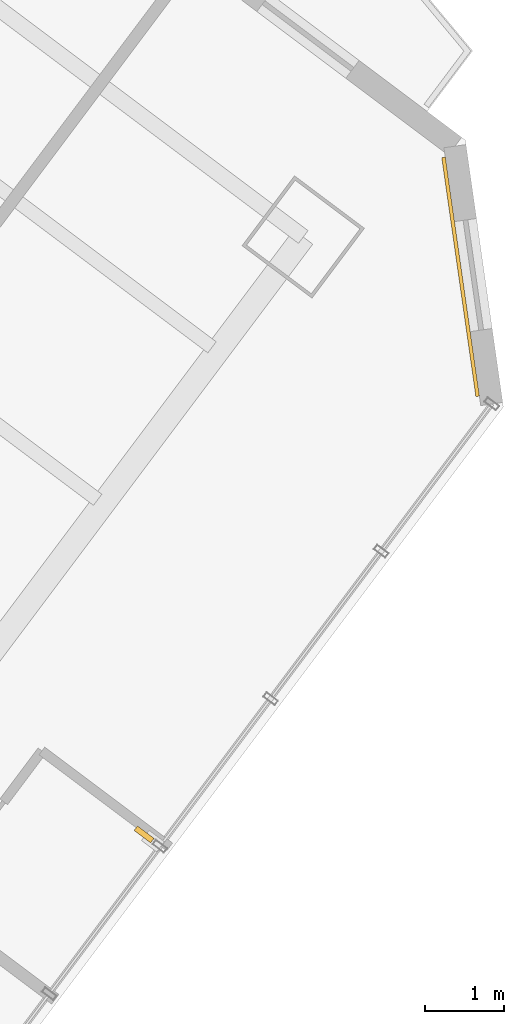
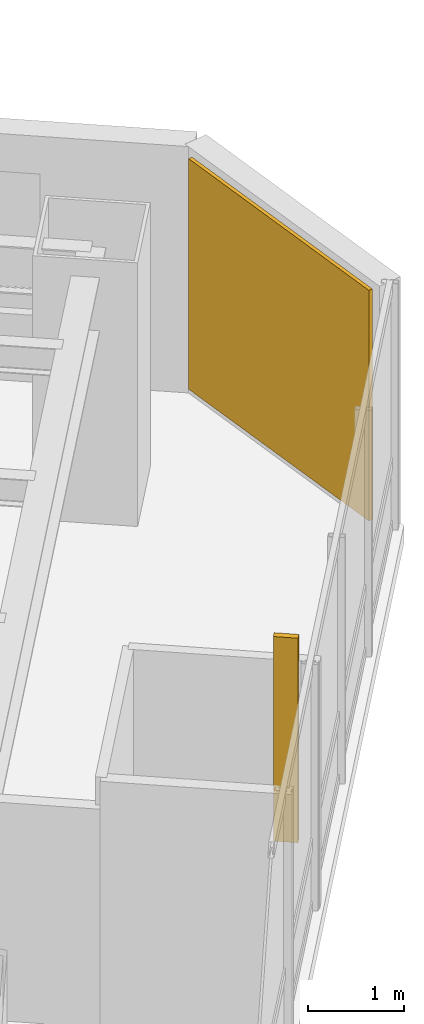
# One storey, part 37 of 37: 1 covering, 1 shading device.
"""IFC4 building model written with IfcOpenShell, lengths in metres."""

from ifc_helpers import new_model, si_unit, direction, frame, origin, origin_2d, place, context, subcontext, project, spatial, rectangle, extrude, material, layer, layer_set, type_object, element, save


model = new_model("IFC4")

# Units and contexts
model_context = context("Model", 3, precision=1e-05, world=origin(), true_north=direction((0.0, 1.0)))
body_context = subcontext(model_context, "Body", "Model", "MODEL_VIEW")
ifc_project = project(units=[si_unit("LENGTHUNIT", "METRE"), si_unit("AREAUNIT", "SQUARE_METRE"), si_unit("VOLUMEUNIT", "CUBIC_METRE"), si_unit("PLANEANGLEUNIT", "RADIAN"), si_unit("MASSUNIT", "GRAM", prefix="KILO")], contexts=[model_context])

# Site, building, storey
site_placement = place(None, origin())
site = spatial("IfcSite", under=ifc_project, at=site_placement, CompositionType="ELEMENT")
building_placement = place(site_placement, origin())
building = spatial("IfcBuilding", under=site, at=building_placement, Name="Hatsunagi Terrace Concourse", CompositionType="ELEMENT")
storey_placement = place(building_placement, frame((0.0, 0.0, 39.949951171875)))
storey = spatial("IfcBuildingStorey", under=building, at=storey_placement, Name="L09", CompositionType="ELEMENT", Elevation=39.949951171875)

# Shading device
ifc_material_1 = material(Name="Extruded Unglazed Terracotta Baguette", Category="masonry")
shading_device_type = type_object("IfcShadingDeviceType", Name="TerracottaFinScreen_260x70", PredefinedType="USERDEFINED", material=ifc_material_1)
shading_device_placement = place(storey_placement, frame((64.716064453125, 14.239013671875, 0.85009765625), z_axis=(0.0, 0.0, 1.0), x_axis=(-0.599969314634, -0.800023013105, 0.0)))
element("IfcShadingDevice", 1, at=shading_device_placement, inside=storey, type_object=shading_device_type, Name="Terracotta Baguette Fin Screen SCR-01", ObjectType="SUNSHADE", PredefinedType="USERDEFINED", context=body_context, shape_type="SweptSolid", body=[
    extrude(rectangle(XDim=0.070068359375, YDim=0.260009765625, at=origin_2d()), origin(), (0.0, 0.0, 1.0), 2.60009765625),
])

# Covering
ifc_material_2 = material(Name="Unglazed Warm Terracotta Rainscreen Tile", Category="masonry")
ifc_layer = layer(ifc_material_2, 0.044921875)
ifc_layer_set = layer_set([ifc_layer], Name="TerracottaRainscreenCladding_45")
covering_type = type_object("IfcCoveringType", Name="TerracottaRainscreenCladding_45", PredefinedType="CLADDING", material=ifc_layer_set)
covering_placement = place(storey_placement, frame((68.700927734375, 21.258056640625, 0.10009765625), z_axis=(0.0, 0.0, 1.0), x_axis=(0.141250262458, -0.989973920543, 0.0)))
element("IfcCovering", 2, at=covering_placement, inside=storey, type_object=covering_type, Name="Terracotta Rainscreen Cladding L09-02", PredefinedType="CLADDING", context=body_context, shape_type="SweptSolid", body=[
    extrude(rectangle(XDim=3.0380859375, YDim=0.044921875, at=origin_2d()), origin(), (0.0, 0.0, 1.0), 2.929931640625),
])

save(model, "model.ifc")
